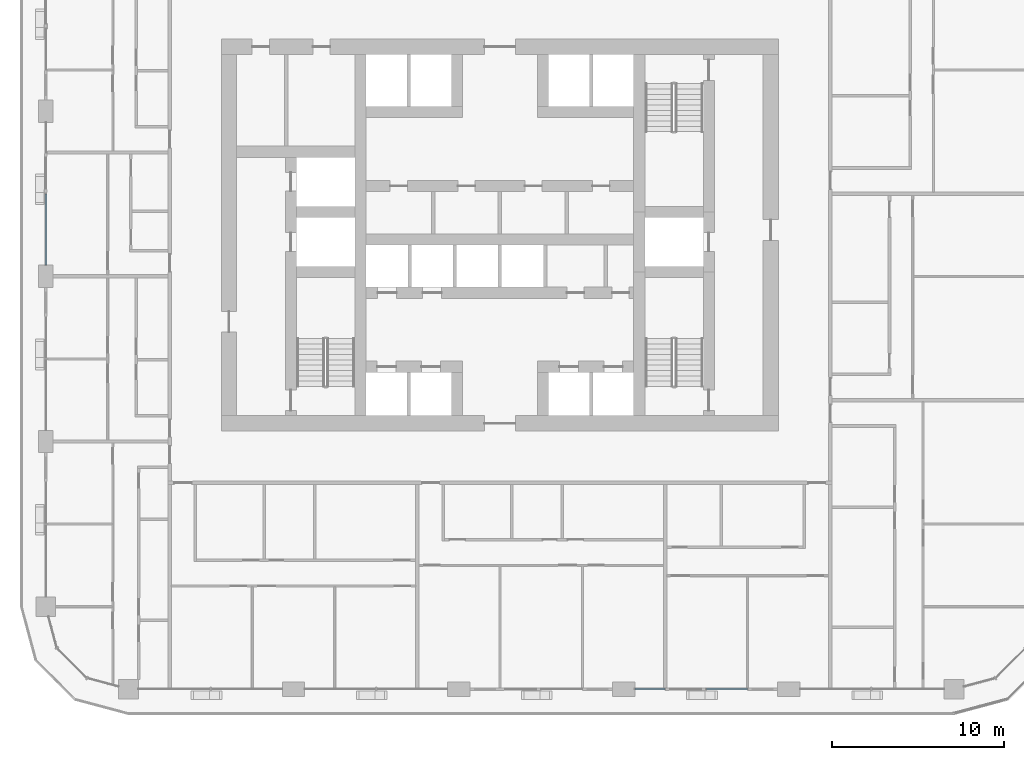
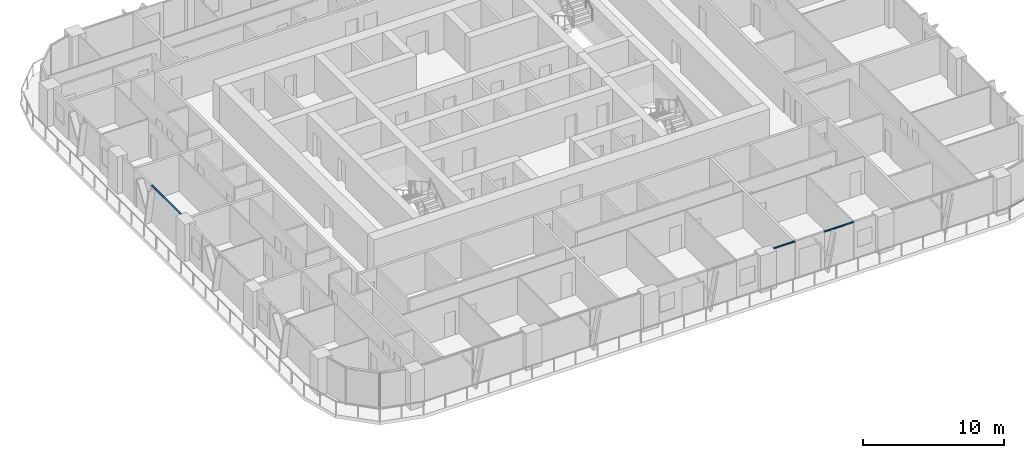
# One storey, part 3 of 22: 3 members, 2 elements without a shape of their own.
"""IFC4 building model written with IfcOpenShell, lengths in metres."""

from ifc_helpers import new_model, si_unit, direction, frame, origin, origin_2d, place, context, subcontext, project, spatial, rectangle, extrude, material, layer, layer_set, material_profile, profile_set, type_object, element, aggregate, save


model = new_model("IFC4")

# Units and contexts
model_context = context("Model", 3, precision=1e-05, world=origin(), true_north=direction((0.0, 1.0)))
body_context = subcontext(model_context, "Body", "Model", "MODEL_VIEW")
ifc_project = project(units=[si_unit("LENGTHUNIT", "METRE"), si_unit("AREAUNIT", "SQUARE_METRE"), si_unit("VOLUMEUNIT", "CUBIC_METRE"), si_unit("PLANEANGLEUNIT", "RADIAN"), si_unit("MASSUNIT", "GRAM", prefix="KILO")], contexts=[model_context])

# Site, building, storey
site_placement = place(None, origin())
site = spatial("IfcSite", under=ifc_project, at=site_placement, CompositionType="ELEMENT")
building_placement = place(site_placement, origin())
building = spatial("IfcBuilding", under=site, at=building_placement, Name="Madar Terraces", CompositionType="ELEMENT")
storey_placement = place(building_placement, frame((0.0, 0.0, 59.300048828125)))
storey = spatial("IfcBuildingStorey", under=building, at=storey_placement, Name="L14", CompositionType="ELEMENT", Elevation=59.300048828125)

# Curtain wall, members
ifc_material_1 = material(Name="Glass, ceramic frit dark grey, with black aluminium frame", Category="aluminium")
ifc_layer = layer(ifc_material_1, 0.199951171875)
ifc_layer_set = layer_set([ifc_layer], Name="Facade curtain wall, fritted glass")
curtain_wall_type = type_object("IfcCurtainWallType", Name="Facade curtain wall, fritted glass", PredefinedType="NOTDEFINED", material=ifc_layer_set)
curtain_wall_1_placement = place(storey_placement, origin())
curtain_wall_1 = element("IfcCurtainWall", 1, at=curtain_wall_1_placement, inside=storey, type_object=curtain_wall_type, Name="Outer skin curtain wall south bay 4", PredefinedType="NOTDEFINED")
ifc_material_2 = material(Name="Aluminium, black anodised", Category="aluminium")
ifc_material_profile = material_profile(ifc_material_2, rectangle(XDim=0.1201171875, YDim=0.06005859375, at=origin_2d()), Name="Facade transom 60x120")
ifc_profile_set = profile_set([ifc_material_profile], Name="Aluminium, black anodised")
member_type = type_object("IfcMemberType", Name="Facade transom 60x120", PredefinedType="USERDEFINED", material=ifc_profile_set)
member_1_placement = place(storey_placement, frame((39.050048828125, 0.0, 3.169921875), z_axis=(1.0, 0.0, 0.0), x_axis=(0.0, 1.0, 0.0)))
member_1 = element("IfcMember", 2, at=member_1_placement, type_object=member_type, Name="Transom 1", ObjectType="TRANSOM", PredefinedType="USERDEFINED", context=body_context, shape_type="SweptSolid", body=[
    extrude(rectangle(XDim=0.1201171875, YDim=0.06005859375, at=origin_2d()), origin(), (0.0, 0.0, 1.0), 1.75),
])
member_2_placement = place(storey_placement, frame((43.199951171875, 0.0, 3.169921875), z_axis=(1.0, 0.0, 0.0), x_axis=(0.0, 1.0, 0.0)))
member_2 = element("IfcMember", 3, at=member_2_placement, type_object=member_type, Name="Transom 2", ObjectType="TRANSOM", PredefinedType="USERDEFINED", context=body_context, shape_type="SweptSolid", body=[
    extrude(rectangle(XDim=0.1201171875, YDim=0.06005859375, at=origin_2d()), origin(), (0.0, 0.0, 1.0), 2.400146484375),
])
aggregate(curtain_wall_1, [member_1, member_2])

# Curtain wall, member
curtain_wall_2_placement = place(storey_placement, origin())
curtain_wall_2 = element("IfcCurtainWall", 4, at=curtain_wall_2_placement, inside=storey, type_object=curtain_wall_type, Name="Outer skin curtain wall west bay 2", PredefinedType="NOTDEFINED")
member_3_placement = place(storey_placement, frame((4.800048828125, 28.800048828125, 3.169921875), z_axis=(0.0, -1.0, 0.0), x_axis=(1.0, 0.0, 0.0)))
member_3 = element("IfcMember", 5, at=member_3_placement, type_object=member_type, Name="Transom 2", ObjectType="TRANSOM", PredefinedType="USERDEFINED", context=body_context, shape_type="SweptSolid", body=[
    extrude(rectangle(XDim=0.1201171875, YDim=0.06005859375, at=origin_2d()), origin(), (0.0, 0.0, 1.0), 4.150146484375),
])
aggregate(curtain_wall_2, [member_3])

save(model, "model.ifc")
